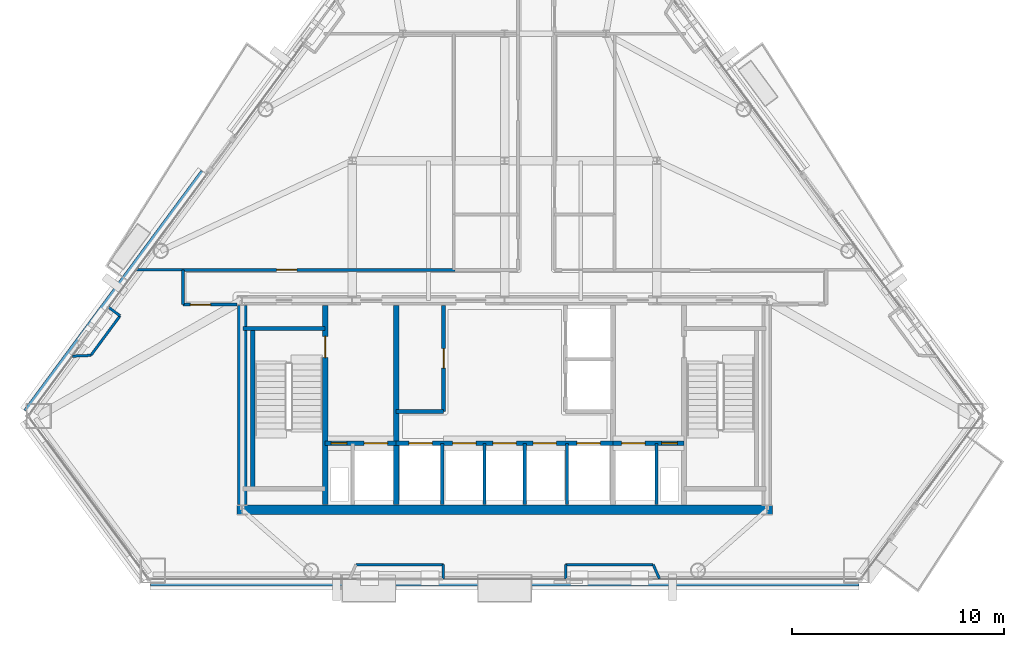
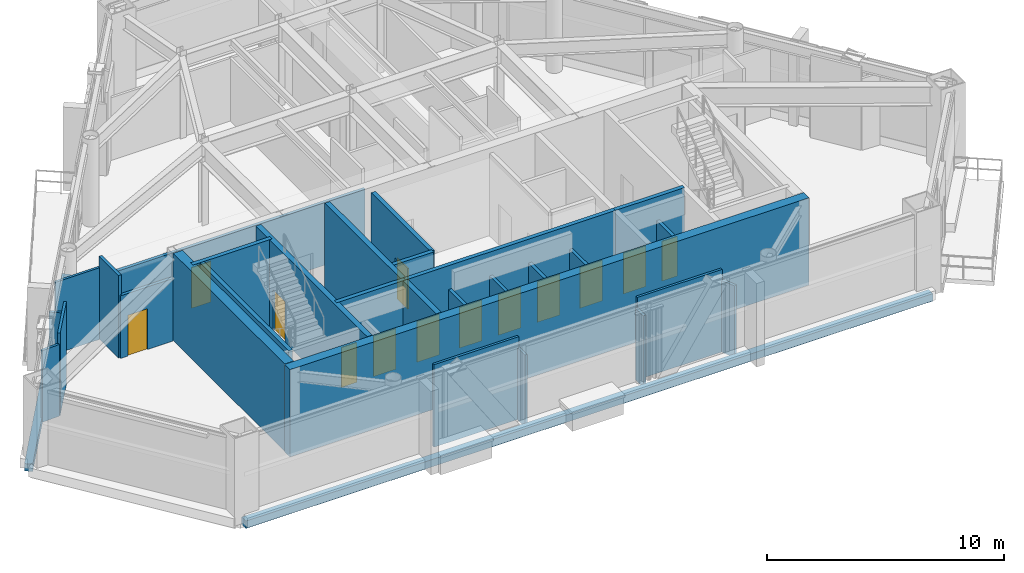
# One storey, part 7 of 11: 30 walls, 13 doors, 13 openings.
"""IFC4 building model written with IfcOpenShell, lengths in metres."""

from ifc_helpers import new_model, si_unit, direction, frame, frame_2d, origin, place, context, subcontext, project, spatial, rectangle, extrude, material, layer, layer_set, type_object, element, fill, save


model = new_model("IFC4")

# Units and contexts
model_context = context("Model", 3, precision=1e-05, world=origin(), true_north=direction((0.0, 1.0)))
body_context = subcontext(model_context, "Body", "Model", "MODEL_VIEW")
ifc_project = project(units=[si_unit("LENGTHUNIT", "METRE"), si_unit("AREAUNIT", "SQUARE_METRE"), si_unit("VOLUMEUNIT", "CUBIC_METRE"), si_unit("PLANEANGLEUNIT", "RADIAN"), si_unit("MASSUNIT", "GRAM", prefix="KILO")], contexts=[model_context])

# Site, building, storey
site_placement = place(None, origin())
site = spatial("IfcSite", under=ifc_project, at=site_placement, CompositionType="ELEMENT")
building_placement = place(site_placement, origin())
building = spatial("IfcBuilding", under=site, at=building_placement, Name="Talgorran Terracotta Tower", CompositionType="ELEMENT")
storey_placement = place(building_placement, frame((0.0, 0.0, 117.60009765625)))
storey = spatial("IfcBuildingStorey", under=building, at=storey_placement, Name="L30", CompositionType="ELEMENT", Elevation=117.60009765625)

# Walls
ifc_material_1 = material(Name="Concrete C50/60", Category="concrete")
ifc_layer_1 = layer(ifc_material_1, 0.199951171875, Name="WT_CORE_200")
ifc_layer_set_1 = layer_set([ifc_layer_1], Name="Concrete C50/60")
wall_type_1 = type_object("IfcWallType", Name="WT_CORE_200", PredefinedType="SOLIDWALL", material=ifc_layer_set_1)
wall_1_placement = place(storey_placement, frame((-12.35009765625, -5.52001953125, 0.0), z_axis=(0.0, 0.0, 1.0), x_axis=(1.0, 0.0, 0.0)))
element("IfcWall", 1, at=wall_1_placement, inside=storey, type_object=wall_type_1, Name="WL-L30-CW-ST1-N", PredefinedType="SOLIDWALL", context=body_context, shape_type="SweptSolid", body=[
    extrude(rectangle(XDim=3.8701171875, YDim=0.199951171875, at=frame_2d((1.93505859375, 0.0))), origin(), (0.0, 0.0, 1.0), 4.5),
])
wall_2_placement = place(storey_placement, frame((-11.89990234375, -13.10009765625, 0.0), z_axis=(0.0, 0.0, 1.0), x_axis=(0.0, 1.0, 0.0)))
element("IfcWall", 2, at=wall_2_placement, inside=storey, type_object=wall_type_1, Name="WL-L30-CW-ST1-W", PredefinedType="SOLIDWALL", context=body_context, shape_type="SweptSolid", body=[
    extrude(rectangle(XDim=7.580078125, YDim=0.199951171875, at=frame_2d((3.7900390625, 0.0))), origin(), (0.0, 0.0, 1.0), 4.5),
])

# Wall, openings, doors
wall_3_placement = place(storey_placement, frame((-8.47998046875, -10.949951171875, 0.0), z_axis=(0.0, 0.0, 1.0), x_axis=(1.0, 0.0, 0.0)))
wall_3 = element("IfcWall", 3, at=wall_3_placement, inside=storey, type_object=wall_type_1, Name="WL-L30-CW-H-SBW", PredefinedType="SOLIDWALL", context=body_context, shape_type="SweptSolid", body=[
    extrude(rectangle(XDim=3.35986328125, YDim=0.199951171875, at=frame_2d((1.679931640625, 0.0))), origin(), (0.0, 0.0, 1.0), 4.5),
])
opening_1_placement = place(wall_3_placement, frame((0.280029296875, 0.0, 0.0)))
opening_1 = element("IfcOpeningElement", 4, at=opening_1_placement, cuts=wall_3, Name="Opening DR-RSW", PredefinedType="OPENING", context=body_context, shape_type="SweptSolid", body=[
    extrude(rectangle(XDim=0.756, YDim=2.054048828125, at=frame_2d((0.375, 1.027099609375))), frame((0.0, 0.10986328125, 0.0), z_axis=(0.0, -1.0, 0.0), x_axis=(1.0, 0.0, 0.0)), (0.0, 0.0, 1.0), 0.219970703125),
])
opening_2_placement = place(wall_3_placement, frame((1.85009765625, 0.0, 0.0)))
opening_2 = element("IfcOpeningElement", 5, at=opening_2_placement, cuts=wall_3, Name="Opening LD-FFL1", PredefinedType="OPENING", context=body_context, shape_type="SweptSolid", body=[
    extrude(rectangle(XDim=1.10609765625, YDim=2.10409765625, at=frame_2d((0.550048828125, 1.052001953125))), frame((0.0, 0.10986328125, 0.0), z_axis=(0.0, -1.0, 0.0), x_axis=(1.0, 0.0, 0.0)), (0.0, 0.0, 1.0), 0.219970703125),
])
ifc_material_2 = material(Name="Brushed Stainless Steel Grade 304", Category="steel")
door_type_1 = type_object("IfcDoorType", Name="DT_LIFT_LD1100", OperationType="DOUBLE_DOOR_SLIDING", PredefinedType="DOOR", material=ifc_material_2)
door_1_placement = place(opening_2_placement, origin())
door_1 = element("IfcDoor", 6, at=door_1_placement, inside=storey, type_object=door_type_1, Name="L30 Lift Landing Door LD-FFL1", OperationType="DOUBLE_DOOR_SLIDING", OverallHeight=2.10009765625, OverallWidth=1.10009765625, PredefinedType="DOOR", context=body_context, shape_type="SweptSolid", body=[
    extrude(rectangle(XDim=1.10009765625, YDim=2.10009765625, at=frame_2d((0.550048828125, 1.050048828125))), frame((0.0, 0.02490234375, 0.0), z_axis=(0.0, -1.0, 0.0), x_axis=(1.0, 0.0, 0.0)), (0.0, 0.0, 1.0), 0.050048828125),
])
fill(opening_2, door_1)
ifc_material_3 = material(Name="Fire-Rated Pressed Steel", Category="steel")
door_type_2 = type_object("IfcDoorType", Name="DT_RISER_750", OperationType="NOTDEFINED", PredefinedType="DOOR", material=ifc_material_3)
door_2_placement = place(opening_1_placement, origin())
door_2 = element("IfcDoor", 7, at=door_2_placement, inside=storey, type_object=door_type_2, Name="DR-RSW", OperationType="SINGLE_SWING_LEFT", OverallHeight=2.050048828125, OverallWidth=0.75, PredefinedType="DOOR", context=body_context, shape_type="SweptSolid", body=[
    extrude(rectangle(XDim=0.75, YDim=2.050048828125, at=frame_2d((0.375, 1.02490234375))), frame((0.0, 0.02490234375, 0.0), z_axis=(0.0, -1.0, 0.0), x_axis=(1.0, 0.0, 0.0)), (0.0, 0.0, 1.0), 0.050048828125),
])
fill(opening_1, door_2)

wall_4_placement = place(storey_placement, frame((-5.1201171875, -10.949951171875, 0.0), z_axis=(0.0, 0.0, 1.0), x_axis=(1.0, 0.0, 0.0)))
wall_4 = element("IfcWall", 8, at=wall_4_placement, inside=storey, type_object=wall_type_1, Name="WL-L30-CW-H-SBC", PredefinedType="SOLIDWALL", context=body_context, shape_type="SweptSolid", body=[
    extrude(rectangle(XDim=10.240234375, YDim=0.199951171875, at=frame_2d((5.1201171875, 0.0))), origin(), (0.0, 0.0, 1.0), 4.5),
])
opening_3_placement = place(wall_4_placement, frame((0.60009765625, 0.0, 0.0)))
opening_3 = element("IfcOpeningElement", 9, at=opening_3_placement, cuts=wall_4, Name="Opening LD-OB1", PredefinedType="OPENING", context=body_context, shape_type="SweptSolid", body=[
    extrude(rectangle(XDim=1.10609765625, YDim=2.10409765625, at=frame_2d((0.550048828125, 1.052001953125))), frame((0.0, 0.10986328125, 0.0), z_axis=(0.0, -1.0, 0.0), x_axis=(1.0, 0.0, 0.0)), (0.0, 0.0, 1.0), 0.219970703125),
])
opening_4_placement = place(wall_4_placement, frame((2.669921875, 0.0, 0.0)))
opening_4 = element("IfcOpeningElement", 10, at=opening_4_placement, cuts=wall_4, Name="Opening LD-PLH1", PredefinedType="OPENING", context=body_context, shape_type="SweptSolid", body=[
    extrude(rectangle(XDim=1.10609765625, YDim=2.10409765625, at=frame_2d((0.550048828125, 1.052001953125))), frame((0.0, 0.10986328125, 0.0), z_axis=(0.0, -1.0, 0.0), x_axis=(1.0, 0.0, 0.0)), (0.0, 0.0, 1.0), 0.219970703125),
])
opening_5_placement = place(wall_4_placement, frame((4.570068359375, 0.0, 0.0)))
opening_5 = element("IfcOpeningElement", 11, at=opening_5_placement, cuts=wall_4, Name="Opening LD-PLH2", PredefinedType="OPENING", context=body_context, shape_type="SweptSolid", body=[
    extrude(rectangle(XDim=1.10609765625, YDim=2.10409765625, at=frame_2d((0.550048828125, 1.052001953125))), frame((0.0, 0.10986328125, 0.0), z_axis=(0.0, -1.0, 0.0), x_axis=(1.0, 0.0, 0.0)), (0.0, 0.0, 1.0), 0.219970703125),
])
opening_6_placement = place(wall_4_placement, frame((6.469970703125, 0.0, 0.0)))
opening_6 = element("IfcOpeningElement", 12, at=opening_6_placement, cuts=wall_4, Name="Opening LD-PLH3", PredefinedType="OPENING", context=body_context, shape_type="SweptSolid", body=[
    extrude(rectangle(XDim=1.10609765625, YDim=2.10409765625, at=frame_2d((0.550048828125, 1.052001953125))), frame((0.0, 0.10986328125, 0.0), z_axis=(0.0, -1.0, 0.0), x_axis=(1.0, 0.0, 0.0)), (0.0, 0.0, 1.0), 0.219970703125),
])
opening_7_placement = place(wall_4_placement, frame((8.5400390625, 0.0, 0.0)))
opening_7 = element("IfcOpeningElement", 13, at=opening_7_placement, cuts=wall_4, Name="Opening LD-SVL1", PredefinedType="OPENING", context=body_context, shape_type="SweptSolid", body=[
    extrude(rectangle(XDim=1.10609765625, YDim=2.10409765625, at=frame_2d((0.550048828125, 1.052001953125))), frame((0.0, 0.10986328125, 0.0), z_axis=(0.0, -1.0, 0.0), x_axis=(1.0, 0.0, 0.0)), (0.0, 0.0, 1.0), 0.219970703125),
])
door_3_placement = place(opening_3_placement, origin())
door_3 = element("IfcDoor", 14, at=door_3_placement, inside=storey, type_object=door_type_1, Name="L30 Lift Landing Door LD-OB1", OperationType="DOUBLE_DOOR_SLIDING", OverallHeight=2.10009765625, OverallWidth=1.10009765625, PredefinedType="DOOR", context=body_context, shape_type="SweptSolid", body=[
    extrude(rectangle(XDim=1.10009765625, YDim=2.10009765625, at=frame_2d((0.550048828125, 1.050048828125))), frame((0.0, 0.02490234375, 0.0), z_axis=(0.0, -1.0, 0.0), x_axis=(1.0, 0.0, 0.0)), (0.0, 0.0, 1.0), 0.050048828125),
])
fill(opening_3, door_3)
door_4_placement = place(opening_4_placement, origin())
door_4 = element("IfcDoor", 15, at=door_4_placement, inside=storey, type_object=door_type_1, Name="L30 Lift Landing Door LD-PLH1", OperationType="DOUBLE_DOOR_SLIDING", OverallHeight=2.10009765625, OverallWidth=1.10009765625, PredefinedType="DOOR", context=body_context, shape_type="SweptSolid", body=[
    extrude(rectangle(XDim=1.10009765625, YDim=2.10009765625, at=frame_2d((0.550048828125, 1.050048828125))), frame((0.0, 0.02490234375, 0.0), z_axis=(0.0, -1.0, 0.0), x_axis=(1.0, 0.0, 0.0)), (0.0, 0.0, 1.0), 0.050048828125),
])
fill(opening_4, door_4)
door_5_placement = place(opening_5_placement, origin())
door_5 = element("IfcDoor", 16, at=door_5_placement, inside=storey, type_object=door_type_1, Name="L30 Lift Landing Door LD-PLH2", OperationType="DOUBLE_DOOR_SLIDING", OverallHeight=2.10009765625, OverallWidth=1.10009765625, PredefinedType="DOOR", context=body_context, shape_type="SweptSolid", body=[
    extrude(rectangle(XDim=1.10009765625, YDim=2.10009765625, at=frame_2d((0.550048828125, 1.050048828125))), frame((0.0, 0.02490234375, 0.0), z_axis=(0.0, -1.0, 0.0), x_axis=(1.0, 0.0, 0.0)), (0.0, 0.0, 1.0), 0.050048828125),
])
fill(opening_5, door_5)
door_6_placement = place(opening_6_placement, origin())
door_6 = element("IfcDoor", 17, at=door_6_placement, inside=storey, type_object=door_type_1, Name="L30 Lift Landing Door LD-PLH3", OperationType="DOUBLE_DOOR_SLIDING", OverallHeight=2.10009765625, OverallWidth=1.10009765625, PredefinedType="DOOR", context=body_context, shape_type="SweptSolid", body=[
    extrude(rectangle(XDim=1.10009765625, YDim=2.10009765625, at=frame_2d((0.550048828125, 1.050048828125))), frame((0.0, 0.02490234375, 0.0), z_axis=(0.0, -1.0, 0.0), x_axis=(1.0, 0.0, 0.0)), (0.0, 0.0, 1.0), 0.050048828125),
])
fill(opening_6, door_6)
door_7_placement = place(opening_7_placement, origin())
door_7 = element("IfcDoor", 18, at=door_7_placement, inside=storey, type_object=door_type_1, Name="L30 Lift Landing Door LD-SVL1", OperationType="DOUBLE_DOOR_SLIDING", OverallHeight=2.10009765625, OverallWidth=1.10009765625, PredefinedType="DOOR", context=body_context, shape_type="SweptSolid", body=[
    extrude(rectangle(XDim=1.10009765625, YDim=2.10009765625, at=frame_2d((0.550048828125, 1.050048828125))), frame((0.0, 0.02490234375, 0.0), z_axis=(0.0, -1.0, 0.0), x_axis=(1.0, 0.0, 0.0)), (0.0, 0.0, 1.0), 0.050048828125),
])
fill(opening_7, door_7)

wall_5_placement = place(storey_placement, frame((5.1201171875, -10.949951171875, 0.0), z_axis=(0.0, 0.0, 1.0), x_axis=(1.0, 0.0, 0.0)))
wall_5 = element("IfcWall", 19, at=wall_5_placement, inside=storey, type_object=wall_type_1, Name="WL-L30-CW-H-SBE", PredefinedType="SOLIDWALL", context=body_context, shape_type="SweptSolid", body=[
    extrude(rectangle(XDim=3.35986328125, YDim=0.199951171875, at=frame_2d((1.679931640625, 0.0))), origin(), (0.0, 0.0, 1.0), 4.5),
])
opening_8_placement = place(wall_5_placement, frame((0.419921875, 0.0, 0.0)))
opening_8 = element("IfcOpeningElement", 20, at=opening_8_placement, cuts=wall_5, Name="Opening LD-FFL2", PredefinedType="OPENING", context=body_context, shape_type="SweptSolid", body=[
    extrude(rectangle(XDim=1.10609765625, YDim=2.10409765625, at=frame_2d((0.550048828125, 1.052001953125))), frame((0.0, 0.10986328125, 0.0), z_axis=(0.0, -1.0, 0.0), x_axis=(1.0, 0.0, 0.0)), (0.0, 0.0, 1.0), 0.219970703125),
])
opening_9_placement = place(wall_5_placement, frame((2.300048828125, 0.0, 0.0)))
opening_9 = element("IfcOpeningElement", 21, at=opening_9_placement, cuts=wall_5, Name="Opening DR-RSE", PredefinedType="OPENING", context=body_context, shape_type="SweptSolid", body=[
    extrude(rectangle(XDim=0.756, YDim=2.054048828125, at=frame_2d((0.375, 1.027099609375))), frame((0.0, 0.10986328125, 0.0), z_axis=(0.0, -1.0, 0.0), x_axis=(1.0, 0.0, 0.0)), (0.0, 0.0, 1.0), 0.219970703125),
])
door_8_placement = place(opening_8_placement, origin())
door_8 = element("IfcDoor", 22, at=door_8_placement, inside=storey, type_object=door_type_1, Name="L30 Lift Landing Door LD-FFL2", OperationType="DOUBLE_DOOR_SLIDING", OverallHeight=2.10009765625, OverallWidth=1.10009765625, PredefinedType="DOOR", context=body_context, shape_type="SweptSolid", body=[
    extrude(rectangle(XDim=1.10009765625, YDim=2.10009765625, at=frame_2d((0.550048828125, 1.050048828125))), frame((0.0, 0.02490234375, 0.0), z_axis=(0.0, -1.0, 0.0), x_axis=(1.0, 0.0, 0.0)), (0.0, 0.0, 1.0), 0.050048828125),
])
fill(opening_8, door_8)
door_9_placement = place(opening_9_placement, origin())
door_9 = element("IfcDoor", 23, at=door_9_placement, inside=storey, type_object=door_type_2, Name="DR-RSE", OperationType="SINGLE_SWING_RIGHT", OverallHeight=2.050048828125, OverallWidth=0.75, PredefinedType="DOOR", context=body_context, shape_type="SweptSolid", body=[
    extrude(rectangle(XDim=0.75, YDim=2.050048828125, at=frame_2d((0.375, 1.02490234375))), frame((0.0, 0.02490234375, 0.0), z_axis=(0.0, -1.0, 0.0), x_axis=(1.0, 0.0, 0.0)), (0.0, 0.0, 1.0), 0.050048828125),
])
fill(opening_9, door_9)

# Wall, opening, door
wall_6_placement = place(storey_placement, frame((-2.8798828125, -9.449951171875, 0.0), z_axis=(0.0, 0.0, 1.0), x_axis=(0.0, 1.0, 0.0)))
wall_6 = element("IfcWall", 24, at=wall_6_placement, inside=storey, type_object=wall_type_1, Name="WL-L30-CW-V-W3", PredefinedType="SOLIDWALL", context=body_context, shape_type="SweptSolid", body=[
    extrude(rectangle(XDim=5.0, YDim=0.199951171875, at=frame_2d((2.5, 0.0))), origin(), (0.0, 0.0, 1.0), 4.25),
])
opening_10_placement = place(wall_6_placement, frame((2.050048828125, 0.0, 0.0)))
opening_10 = element("IfcOpeningElement", 25, at=opening_10_placement, cuts=wall_6, Name="Opening DR-FRPLL-A", PredefinedType="OPENING", context=body_context, shape_type="SweptSolid", body=[
    extrude(rectangle(XDim=0.925921875, YDim=2.10409765625, at=frame_2d((0.4599609375, 1.052001953125))), frame((0.0, 0.10986328125, 0.0), z_axis=(0.0, -1.0, 0.0), x_axis=(1.0, 0.0, 0.0)), (0.0, 0.0, 1.0), 0.219970703125),
])
ifc_material_4 = material(Name="Solid-Core Painted Timber", Category="wood")
door_type_3 = type_object("IfcDoorType", Name="DT_INT_920", OperationType="NOTDEFINED", PredefinedType="DOOR", material=ifc_material_4)
door_10_placement = place(opening_10_placement, origin())
door_10 = element("IfcDoor", 26, at=door_10_placement, inside=storey, type_object=door_type_3, Name="DR-FRPLL-A", OperationType="SINGLE_SWING_LEFT", OverallHeight=2.10009765625, OverallWidth=0.919921875, PredefinedType="DOOR", context=body_context, shape_type="SweptSolid", body=[
    extrude(rectangle(XDim=0.919921875, YDim=2.10009765625, at=frame_2d((0.4599609375, 1.050048828125))), frame((0.0, 0.02490234375, 0.0), z_axis=(0.0, -1.0, 0.0), x_axis=(1.0, 0.0, 0.0)), (0.0, 0.0, 1.0), 0.050048828125),
])
fill(opening_10, door_10)

# Wall
wall_7_placement = place(storey_placement, frame((-5.1201171875, -9.449951171875, 0.0), z_axis=(0.0, 0.0, 1.0), x_axis=(1.0, 0.0, 0.0)))
element("IfcWall", 27, at=wall_7_placement, inside=storey, type_object=wall_type_1, Name="WL-L30-CW-H-W4", PredefinedType="SOLIDWALL", context=body_context, shape_type="SweptSolid", body=[
    extrude(rectangle(XDim=2.240234375, YDim=0.199951171875, at=frame_2d((1.1201171875, 0.0))), origin(), (0.0, 0.0, 1.0), 4.25),
])

# Wall, opening, door
ifc_layer_2 = layer(ifc_material_1, 0.25, Name="WT_CORE_250")
ifc_layer_set_2 = layer_set([ifc_layer_2], Name="Concrete C50/60")
wall_type_2 = type_object("IfcWallType", Name="WT_CORE_250", PredefinedType="SHEAR", material=ifc_layer_set_2)
wall_8_placement = place(storey_placement, frame((-8.47998046875, -13.85009765625, 0.0), z_axis=(0.0, 0.0, 1.0), x_axis=(0.0, 1.0, 0.0)))
wall_8 = element("IfcWall", 28, at=wall_8_placement, inside=storey, type_object=wall_type_2, Name="WL-L30-CW-V-W1", PredefinedType="SHEAR", context=body_context, shape_type="SweptSolid", body=[
    extrude(rectangle(XDim=9.400146484375, YDim=0.25, at=frame_2d((4.7001953125, 0.0))), origin(), (0.0, 0.0, 1.0), 4.5),
])
opening_11_placement = place(wall_8_placement, frame((6.949951171875, 0.0, 0.0)))
opening_11 = element("IfcOpeningElement", 29, at=opening_11_placement, cuts=wall_8, Name="Opening DR-ST01", PredefinedType="OPENING", context=body_context, shape_type="SweptSolid", body=[
    extrude(rectangle(XDim=1.006, YDim=2.10409765625, at=frame_2d((0.5, 1.052001953125))), frame((0.0, 0.135009765625, 0.0), z_axis=(0.0, -1.0, 0.0), x_axis=(1.0, 0.0, 0.0)), (0.0, 0.0, 1.0), 0.27001953125),
])
door_type_4 = type_object("IfcDoorType", Name="DT_FIRE_1000", OperationType="NOTDEFINED", PredefinedType="DOOR", material=ifc_material_3)
door_11_placement = place(opening_11_placement, origin())
door_11 = element("IfcDoor", 30, at=door_11_placement, inside=storey, type_object=door_type_4, Name="DR-ST01", OperationType="SINGLE_SWING_LEFT", OverallHeight=2.10009765625, OverallWidth=1.0, PredefinedType="DOOR", context=body_context, shape_type="SweptSolid", body=[
    extrude(rectangle(XDim=1.0, YDim=2.10009765625, at=frame_2d((0.5, 1.050048828125))), frame((0.0, 0.02490234375, 0.0), z_axis=(0.0, -1.0, 0.0), x_axis=(1.0, 0.0, 0.0)), (0.0, 0.0, 1.0), 0.050048828125),
])
fill(opening_11, door_11)

# Walls
wall_9_placement = place(storey_placement, frame((-5.1201171875, -13.85009765625, 0.0), z_axis=(0.0, 0.0, 1.0), x_axis=(0.0, 1.0, 0.0)))
element("IfcWall", 31, at=wall_9_placement, inside=storey, type_object=wall_type_2, Name="WL-L30-CW-V-W2", PredefinedType="SHEAR", context=body_context, shape_type="SweptSolid", body=[
    extrude(rectangle(XDim=9.400146484375, YDim=0.25, at=frame_2d((4.7001953125, 0.0))), origin(), (0.0, 0.0, 1.0), 4.5),
])
ifc_material_5 = material(Name="Concrete C65/80", Category="concrete")
ifc_layer_3 = layer(ifc_material_5, 0.449951171875, Name="WT_CORE_EXT")
ifc_layer_set_3 = layer_set([ifc_layer_3], Name="Concrete C65/80")
wall_type_3 = type_object("IfcWallType", Name="WT_CORE_EXT", PredefinedType="SHEAR", material=ifc_layer_set_3)
wall_10_placement = place(storey_placement, frame((-12.64990234375, -14.10009765625, 0.0), z_axis=(0.0, 0.0, 1.0), x_axis=(1.0, 0.0, 0.0)))
element("IfcWall", 32, at=wall_10_placement, inside=storey, type_object=wall_type_3, Name="WL-L30-CW-OUT-S", PredefinedType="SHEAR", context=body_context, shape_type="SweptSolid", body=[
    extrude(rectangle(XDim=25.2998046875, YDim=0.449951171875, at=frame_2d((12.64990234375, 0.0))), origin(), (0.0, 0.0, 1.0), 4.5),
])
wall_11_placement = place(storey_placement, frame((-12.39990234375, -13.85009765625, 0.0), z_axis=(0.0, 0.0, 1.0), x_axis=(0.0, 1.0, 0.0)))
element("IfcWall", 33, at=wall_11_placement, inside=storey, type_object=wall_type_3, Name="WL-L30-CW-OUT-W", PredefinedType="SHEAR", context=body_context, shape_type="SweptSolid", body=[
    extrude(rectangle(XDim=9.400146484375, YDim=0.449951171875, at=frame_2d((4.7001953125, 0.0))), origin(), (0.0, 0.0, 1.0), 4.5),
])

# Wall, opening, door
ifc_material_6 = material(Name="Fire-Rated Steel Stud Plasterboard", Category="steel")
ifc_layer_4 = layer(ifc_material_6, 0.14990234375, Name="WT_FIRE_150")
ifc_layer_set_4 = layer_set([ifc_layer_4], Name="Fire-Rated Steel Stud Plasterboard")
wall_type_4 = type_object("IfcWallType", Name="WT_FIRE_150", PredefinedType="PARTITIONING", material=ifc_layer_set_4)
wall_12_placement = place(storey_placement, frame((-15.199951171875, -2.760009765625, 0.0), z_axis=(0.0, 0.0, 1.0), x_axis=(1.0, 0.0, 0.0)))
wall_12 = element("IfcWall", 34, at=wall_12_placement, inside=storey, type_object=wall_type_4, Name="WL-L30-W-L30-R09", PredefinedType="PARTITIONING", context=body_context, shape_type="SweptSolid", body=[
    extrude(rectangle(XDim=12.85986328125, YDim=0.14990234375, at=frame_2d((6.429931640625, 0.0))), origin(), (0.0, 0.0, 1.0), 3.224853515625),
])
opening_12_placement = place(wall_12_placement, frame((4.436279296875, 0.0, 0.0)))
opening_12 = element("IfcOpeningElement", 35, at=opening_12_placement, cuts=wall_12, Name="Opening DR-L30-R05", PredefinedType="OPENING", context=body_context, shape_type="SweptSolid", body=[
    extrude(rectangle(XDim=0.955951171875, YDim=2.10409765625, at=frame_2d((0.47509765625, 1.052001953125))), frame((0.0, 0.0849609375, 0.0), z_axis=(0.0, -1.0, 0.0), x_axis=(1.0, 0.0, 0.0)), (0.0, 0.0, 1.0), 0.169921875),
])
ifc_material_7 = material(Name="Fire-Rated Timber Core", Category="wood")
door_type_5 = type_object("IfcDoorType", Name="DT_FIRE_950", OperationType="NOTDEFINED", PredefinedType="DOOR", material=ifc_material_7)
door_12_placement = place(opening_12_placement, origin())
door_12 = element("IfcDoor", 36, at=door_12_placement, inside=storey, type_object=door_type_5, Name="DR-L30-R05", OperationType="SINGLE_SWING_LEFT", OverallHeight=2.10009765625, OverallWidth=0.949951171875, PredefinedType="DOOR", context=body_context, shape_type="SweptSolid", body=[
    extrude(rectangle(XDim=0.949951171875, YDim=2.10009765625, at=frame_2d((0.47509765625, 1.050048828125))), frame((0.0, 0.02490234375, 0.0), z_axis=(0.0, -1.0, 0.0), x_axis=(1.0, 0.0, 0.0)), (0.0, 0.0, 1.0), 0.050048828125),
])
fill(opening_12, door_12)

wall_13_placement = place(storey_placement, frame((-15.199951171875, -4.39990234375, 0.0), z_axis=(0.0, 0.0, 1.0), x_axis=(1.0, 0.0, 0.0)))
wall_13 = element("IfcWall", 37, at=wall_13_placement, inside=storey, type_object=wall_type_4, Name="WL-L30-W-L30-R02", PredefinedType="PARTITIONING", context=body_context, shape_type="SweptSolid", body=[
    extrude(rectangle(XDim=2.5478515625, YDim=0.14990234375, at=frame_2d((1.27392578125, 0.0))), origin(), (0.0, 0.0, 1.0), 3.224853515625),
])
opening_13_placement = place(wall_13_placement, frame((0.358154296875, 0.0, 0.0)))
opening_13 = element("IfcOpeningElement", 38, at=opening_13_placement, cuts=wall_13, Name="Opening DR-L30-R01", PredefinedType="OPENING", context=body_context, shape_type="SweptSolid", body=[
    extrude(rectangle(XDim=0.955951171875, YDim=2.10409765625, at=frame_2d((0.47509765625, 1.052001953125))), frame((0.0, 0.0849609375, 0.0), z_axis=(0.0, -1.0, 0.0), x_axis=(1.0, 0.0, 0.0)), (0.0, 0.0, 1.0), 0.169921875),
])
door_13_placement = place(opening_13_placement, origin())
door_13 = element("IfcDoor", 39, at=door_13_placement, inside=storey, type_object=door_type_5, Name="DR-L30-R01", OperationType="SINGLE_SWING_LEFT", OverallHeight=2.10009765625, OverallWidth=0.949951171875, PredefinedType="DOOR", context=body_context, shape_type="SweptSolid", body=[
    extrude(rectangle(XDim=0.949951171875, YDim=2.10009765625, at=frame_2d((0.47509765625, 1.050048828125))), frame((0.0, 0.02490234375, 0.0), z_axis=(0.0, -1.0, 0.0), x_axis=(1.0, 0.0, 0.0)), (0.0, 0.0, 1.0), 0.050048828125),
])
fill(opening_13, door_13)

# Walls
wall_14_placement = place(storey_placement, frame((-15.199951171875, -4.39990234375, 0.0), z_axis=(0.0, 0.0, 1.0), x_axis=(0.0, 1.0, 0.0)))
element("IfcWall", 40, at=wall_14_placement, inside=storey, type_object=wall_type_4, Name="WL-L30-W-L30-R01", PredefinedType="PARTITIONING", context=body_context, shape_type="SweptSolid", body=[
    extrude(rectangle(XDim=1.639892578125, YDim=0.14990234375, at=frame_2d((0.81982421875, 0.0))), origin(), (0.0, 0.0, 1.0), 4.25),
])
ifc_material_8 = material(Name="Concrete C40/50", Category="concrete")
ifc_layer_5 = layer(ifc_material_8, 0.219970703125, Name="WT_PARAPET_RC")
ifc_layer_set_5 = layer_set([ifc_layer_5], Name="Concrete C40/50")
wall_type_5 = type_object("IfcWallType", Name="WT_PARAPET_RC", PredefinedType="PARAPET", material=ifc_layer_set_5)
wall_15_placement = place(storey_placement, frame((-16.739990234375, -17.523193359375, -0.2001953125), z_axis=(0.0, 0.0, 1.0), x_axis=(1.0, 0.0, 0.0)))
element("IfcWall", 41, at=wall_15_placement, inside=storey, type_object=wall_type_5, Name="L30 Striped Portal Precast Cornice F1", PredefinedType="PARAPET", context=body_context, shape_type="SweptSolid", body=[
    extrude(rectangle(XDim=33.47998046875, YDim=0.360107421875, at=frame_2d((16.739990234375, 0.0))), origin(), (0.0, 0.0, 1.0), 0.380126953125),
])
wall_16_placement = place(storey_placement, frame((-14.205810546875, 1.84326171875, -0.2001953125), z_axis=(0.0, 0.0, 1.0), x_axis=(-0.594634463254, -0.803996178542, 0.0)))
element("IfcWall", 42, at=wall_16_placement, inside=storey, type_object=wall_type_5, Name="L30 Striped Portal Precast Cornice F61", PredefinedType="PARAPET", context=body_context, shape_type="SweptSolid", body=[
    extrude(rectangle(XDim=14.071533203125, YDim=0.360107421875, at=frame_2d((7.03564453125, 0.0))), origin(), (0.0, 0.0, 1.0), 0.380126953125),
])
ifc_material_9 = material(Name="Insulated Steel Stud Plasterboard", Category="steel")
ifc_layer_6 = layer(ifc_material_9, 0.1201171875, Name="WT_PART_120")
ifc_layer_set_6 = layer_set([ifc_layer_6], Name="Insulated Steel Stud Plasterboard")
wall_type_6 = type_object("IfcWallType", Name="WT_PART_120", PredefinedType="PARTITIONING", material=ifc_layer_set_6)
for number, where, z_axis, x_axis, name in (
    (43, (-7.02392578125, -16.683349609375, 0.0), (0.0, 0.0, 1.0), (1.0, 0.0, 0.0), "WL-L30-BW-L30-01"),
    (44, (2.887939453125, -16.683349609375, 0.0), (0.0, 0.0, 1.0), (1.0, 0.0, 0.0), "WL-L30-BW-L30-06"),
):
    element("IfcWall", number, at=place(storey_placement, frame(where, z_axis=z_axis, x_axis=x_axis)), inside=storey, type_object=wall_type_6, Name=name, PredefinedType="PARTITIONING", context=body_context, shape_type="SweptSolid", body=[
        extrude(rectangle(XDim=4.135986328125, YDim=0.1201171875, at=frame_2d((2.06787109375, 0.0))), origin(), (0.0, 0.0, 1.0), 4.25),
    ])
wall_17_placement = place(storey_placement, frame((-18.16845703125, -4.927001953125, 0.0), z_axis=(0.0, 0.0, 1.0), x_axis=(-0.594589014846, -0.804029790135, 0.0)))
element("IfcWall", 45, at=wall_17_placement, inside=storey, type_object=wall_type_6, Name="WL-L30-BW-L30-08", PredefinedType="PARTITIONING", context=body_context, shape_type="SweptSolid", body=[
    extrude(rectangle(XDim=2.3232421875, YDim=0.1201171875, at=frame_2d((1.16162109375, 0.0))), origin(), (0.0, 0.0, 1.0), 4.25),
])
wall_18_placement = place(storey_placement, frame((-17.411376953125, -2.760009765625, 0.0), z_axis=(0.0, 0.0, 1.0), x_axis=(1.0, 0.0, 0.0)))
element("IfcWall", 46, at=wall_18_placement, inside=storey, type_object=wall_type_6, Name="WL-L30-W-L30-R15", PredefinedType="PARTITIONING", context=body_context, shape_type="SweptSolid", body=[
    extrude(rectangle(XDim=2.21142578125, YDim=0.1201171875, at=frame_2d((1.105712890625, 0.0))), origin(), (0.0, 0.0, 1.0), 3.69189453125),
])
wall_19_placement = place(storey_placement, frame((-19.5498046875, -6.794921875, 0.0), z_axis=(0.0, 0.0, 1.0), x_axis=(-0.999048124627, -0.043621607937, 0.0)))
element("IfcWall", 47, at=wall_19_placement, inside=storey, type_object=wall_type_6, Name="WL-L30-BW-L30-09", PredefinedType="PARTITIONING", context=body_context, shape_type="SweptSolid", body=[
    extrude(rectangle(XDim=0.86181640625, YDim=0.1201171875, at=frame_2d((0.430908203125, 0.0))), origin(), (0.0, 0.0, 1.0), 3.69189453125),
])
wall_20_placement = place(storey_placement, frame((7.02392578125, -16.683349609375, 0.0), z_axis=(0.0, 0.0, 1.0), x_axis=(0.401798975651, -0.915727897995, 0.0)))
element("IfcWall", 48, at=wall_20_placement, inside=storey, type_object=wall_type_6, Name="WL-L30-BW-L30-04", PredefinedType="PARTITIONING", context=body_context, shape_type="SweptSolid", body=[
    extrude(rectangle(XDim=0.731689453125, YDim=0.1201171875, at=frame_2d((0.36572265625, 0.0))), origin(), (0.0, 0.0, 1.0), 3.69189453125),
])
for number, where, z_axis, x_axis, name in (
    (49, (-2.887939453125, -16.683349609375, 0.0), (0.0, 0.0, 1.0), (0.0, -1.0, 0.0), "WL-L30-BW-L30-02"),
    (50, (2.887939453125, -17.353271484375, 0.0), (0.0, 0.0, 1.0), (0.0, 1.0, 0.0), "WL-L30-BW-L30-05"),
):
    element("IfcWall", number, at=place(storey_placement, frame(where, z_axis=z_axis, x_axis=x_axis)), inside=storey, type_object=wall_type_6, Name=name, PredefinedType="PARTITIONING", context=body_context, shape_type="SweptSolid", body=[
        extrude(rectangle(XDim=0.669921875, YDim=0.1201171875, at=frame_2d((0.3349609375, 0.0))), origin(), (0.0, 0.0, 1.0), 3.69189453125),
    ])
wall_21_placement = place(storey_placement, frame((-18.70703125, -4.52880859375, 0.0), z_axis=(0.0, 0.0, 1.0), x_axis=(0.804092805945, -0.59450379261, 0.0)))
element("IfcWall", 51, at=wall_21_placement, inside=storey, type_object=wall_type_6, Name="WL-L30-BW-L30-07", PredefinedType="PARTITIONING", context=body_context, shape_type="SweptSolid", body=[
    extrude(rectangle(XDim=0.669677734375, YDim=0.1201171875, at=frame_2d((0.3349609375, 0.0))), origin(), (0.0, 0.0, 1.0), 3.69189453125),
])
ifc_material_10 = material(Name="Fire-Rated Shaftwall")
ifc_layer_7 = layer(ifc_material_10, 0.159912109375, Name="WT_PART_150")
ifc_layer_set_7 = layer_set([ifc_layer_7], Name="Fire-Rated Shaftwall")
wall_type_7 = type_object("IfcWallType", Name="WT_PART_150", PredefinedType="PARTITIONING", material=ifc_layer_set_7)
for number, where, z_axis, x_axis, name in (
    (52, (7.179931640625, -13.85009765625, 0.0), (0.0, 0.0, 1.0), (0.0, 1.0, 0.0), "WL-L30-CW-RSE"),
    (53, (-2.949951171875, -13.85009765625, 0.0), (0.0, 0.0, 1.0), (0.0, 1.0, 0.0), "WL-L30-CW-OB-E"),
    (54, (2.949951171875, -13.85009765625, 0.0), (0.0, 0.0, 1.0), (0.0, 1.0, 0.0), "WL-L30-CW-SV-W"),
    (55, (-0.949951171875, -13.85009765625, 0.0), (0.0, 0.0, 1.0), (0.0, 1.0, 0.0), "WL-L30-CW-PLH-D1"),
    (56, (0.949951171875, -13.85009765625, 0.0), (0.0, 0.0, 1.0), (0.0, 1.0, 0.0), "WL-L30-CW-PLH-D2"),
):
    element("IfcWall", number, at=place(storey_placement, frame(where, z_axis=z_axis, x_axis=x_axis)), inside=storey, type_object=wall_type_7, Name=name, PredefinedType="PARTITIONING", context=body_context, shape_type="SweptSolid", body=[
        extrude(rectangle(XDim=2.900146484375, YDim=0.159912109375, at=frame_2d((1.4501953125, 0.0))), origin(), (0.0, 0.0, 1.0), 3.27490234375),
    ])

save(model, "model.ifc")
